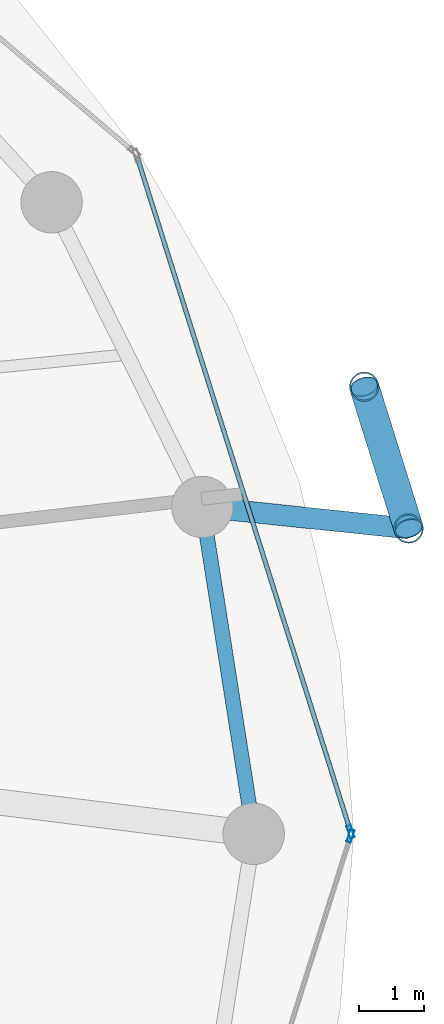
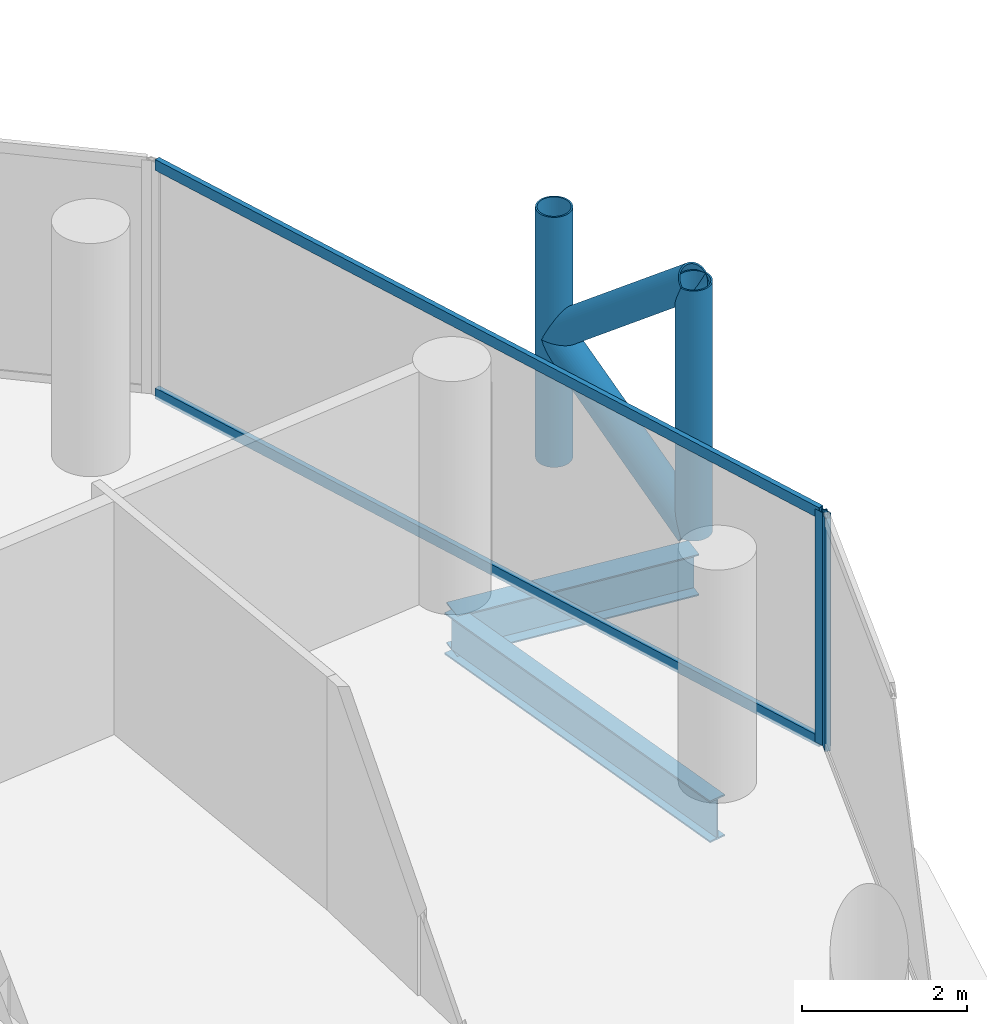
# One storey, part 12 of 26: 8 members, 2 beams, 2 elements without a shape of their own.
"""IFC4 building model written with IfcOpenShell, lengths in metres."""

from ifc_helpers import new_model, si_unit, direction, frame, origin, origin_2d, place, context, subcontext, project, spatial, hollow_rectangle, hollow_circle, i_section, extrude, material, layer, layer_set, material_profile, profile_set, type_object, element, aggregate, save


model = new_model("IFC4")

# Units and contexts
model_context = context("Model", 3, precision=1e-05, world=origin(), true_north=direction((0.0, 1.0)))
body_context = subcontext(model_context, "Body", "Model", "MODEL_VIEW")
ifc_project = project(units=[si_unit("LENGTHUNIT", "METRE"), si_unit("AREAUNIT", "SQUARE_METRE"), si_unit("VOLUMEUNIT", "CUBIC_METRE"), si_unit("PLANEANGLEUNIT", "RADIAN"), si_unit("MASSUNIT", "GRAM", prefix="KILO")], contexts=[model_context])

# Site, building, storey
site_placement = place(None, origin())
site = spatial("IfcSite", under=ifc_project, at=site_placement, CompositionType="ELEMENT")
building_placement = place(site_placement, origin())
building = spatial("IfcBuilding", under=site, at=building_placement, Name="Nuhasar Tower", CompositionType="ELEMENT")
storey_placement = place(building_placement, frame((0.0, 0.0, 129.35009765625)))
storey = spatial("IfcBuildingStorey", under=building, at=storey_placement, Name="L30", CompositionType="ELEMENT", Elevation=129.35009765625)

# Beams
ifc_material_1 = material(Name="Steel S355", Category="steel")
ifc_material_profile_1 = material_profile(ifc_material_1, i_section(OverallWidth=0.22998046875, OverallDepth=0.616943359375, WebThickness=0.01318359375, FlangeThickness=0.022216796875, at=origin_2d()), Name="W24X94")
ifc_profile_set_1 = profile_set([ifc_material_profile_1], Name="Steel S355")
beam_type_1 = type_object("IfcBeamType", Name="BM-RING-W24X94", PredefinedType="SPANDREL", material=ifc_profile_set_1)
beam_1_placement = place(storey_placement, frame((62.35009765625, 26.800048828125, -0.55908203125), z_axis=(-0.155426543608, 0.987847452566, 0.0), x_axis=(-0.987847452566, -0.155426543608, 0.0)))
element("IfcBeam", 1, at=beam_1_placement, inside=storey, type_object=beam_type_1, Name="L30 Perimeter Ring Spandrel 01", PredefinedType="SPANDREL", context=body_context, shape_type="SweptSolid", body=[
    extrude(i_section(OverallWidth=0.22998046875, OverallDepth=0.616943359375, WebThickness=0.01318359375, FlangeThickness=0.022216796875, at=origin_2d()), origin(), (0.0, 0.0, 1.0), 5.122314453125),
])
ifc_material_profile_2 = material_profile(ifc_material_1, i_section(OverallWidth=0.323974609375, OverallDepth=0.611083984375, WebThickness=0.0126953125, FlangeThickness=0.01904296875, at=origin_2d()), Name="W24X104")
ifc_profile_set_2 = profile_set([ifc_material_profile_2], Name="Steel S355")
beam_type_2 = type_object("IfcBeamType", Name="BM-TIE-W24X104", PredefinedType="BEAM", material=ifc_profile_set_2)
beam_2_placement = place(storey_placement, frame((61.553955078125, 31.860107421875, -0.55615234375), z_axis=(0.994569828715, -0.104071397654, 0.0), x_axis=(0.104071397654, 0.994569828715, 0.0)))
element("IfcBeam", 2, at=beam_2_placement, inside=storey, type_object=beam_type_2, Name="L30 Exoskeleton Node Tie Beam 01", PredefinedType="BEAM", context=body_context, shape_type="SweptSolid", body=[
    extrude(i_section(OverallWidth=0.323974609375, OverallDepth=0.611083984375, WebThickness=0.0126953125, FlangeThickness=0.01904296875, at=origin_2d()), origin(), (0.0, 0.0, 1.0), 3.21142578125),
])

# Curtain wall, member
ifc_material_2 = material(Name="Aluminium 6063-T6", Category="aluminium")
ifc_layer = layer(ifc_material_2, 0.199951171875)
ifc_layer_set = layer_set([ifc_layer], Name="Aluminium 6063-T6")
curtain_wall_type = type_object("IfcCurtainWallType", Name="CW-Z2-HTL", PredefinedType="NOTDEFINED", material=ifc_layer_set)
curtain_wall_1_placement = place(storey_placement, origin())
curtain_wall_1 = element("IfcCurtainWall", 3, at=curtain_wall_1_placement, inside=storey, type_object=curtain_wall_type, Name="L30 Unitised Curtain Wall 01", PredefinedType="NOTDEFINED")
ifc_material_profile_3 = material_profile(ifc_material_2, hollow_rectangle(XDim=0.070068359375, YDim=0.199951171875, WallThickness=0.0048828125, at=origin_2d()), Name="CWM-3")
ifc_profile_set_3 = profile_set([ifc_material_profile_3], Name="Aluminium 6063-T6")
member_type_1 = type_object("IfcMemberType", Name="CW-MUL-S3", PredefinedType="MULLION", material=ifc_profile_set_3)
member_1_placement = place(storey_placement, frame((63.849365234375, 26.833251953125, 0.0), z_axis=(0.0, 0.0, 1.0), x_axis=(-0.953433389233, -0.301603667577, 0.0)))
member_1 = element("IfcMember", 4, at=member_1_placement, type_object=member_type_1, Name="CW-Z2 mullion 1", PredefinedType="MULLION", context=body_context, shape_type="SweptSolid", body=[
    extrude(hollow_rectangle(XDim=0.070068359375, YDim=0.199951171875, WallThickness=0.0048828125, at=origin_2d()), origin(), (0.0, 0.0, 1.0), 3.449951171875),
])

curtain_wall_2_placement = place(storey_placement, origin())
curtain_wall_2 = element("IfcCurtainWall", 5, at=curtain_wall_2_placement, inside=storey, type_object=curtain_wall_type, Name="L30 Unitised Curtain Wall 12", PredefinedType="NOTDEFINED")
member_2_placement = place(storey_placement, frame((63.849365234375, 26.7666015625, 0.0), z_axis=(0.0, 0.0, 1.0), x_axis=(-0.953433389233, 0.301603667577, 0.0)))
member_2 = element("IfcMember", 6, at=member_2_placement, type_object=member_type_1, Name="CW-Z2 mullion 2", PredefinedType="MULLION", context=body_context, shape_type="SweptSolid", body=[
    extrude(hollow_rectangle(XDim=0.070068359375, YDim=0.199951171875, WallThickness=0.0048828125, at=origin_2d()), origin(), (0.0, 0.0, 1.0), 3.449951171875),
])
aggregate(curtain_wall_2, [member_2])

# Member
ifc_material_profile_4 = material_profile(ifc_material_2, hollow_rectangle(XDim=0.070068359375, YDim=0.159912109375, WallThickness=0.00439453125, at=origin_2d()), Name="CWT-3")
ifc_profile_set_4 = profile_set([ifc_material_profile_4], Name="Aluminium 6063-T6")
member_type_2 = type_object("IfcMemberType", Name="CW-TRN-S3", PredefinedType="USERDEFINED", material=ifc_profile_set_4)
member_3_placement = place(storey_placement, frame((63.8388671875, 26.86669921875, 0.034912109375), z_axis=(-0.301608163352, 0.953431967053, 0.0), x_axis=(-0.953431967053, -0.301608163352, 0.0)))
member_3 = element("IfcMember", 7, at=member_3_placement, type_object=member_type_2, Name="CW-Z2 transom 1.1", ObjectType="TRANSOM", PredefinedType="USERDEFINED", context=body_context, shape_type="SweptSolid", body=[
    extrude(hollow_rectangle(XDim=0.070068359375, YDim=0.159912109375, WallThickness=0.00439453125, at=origin_2d()), origin(), (0.0, 0.0, 1.0), 10.904296875),
])

member_4_placement = place(storey_placement, frame((63.8388671875, 26.86669921875, 3.414794921875), z_axis=(-0.301608163352, 0.953431967053, 0.0), x_axis=(-0.953431967053, -0.301608163352, 0.0)))
member_4 = element("IfcMember", 8, at=member_4_placement, type_object=member_type_2, Name="CW-Z2 transom 1.2", ObjectType="TRANSOM", PredefinedType="USERDEFINED", context=body_context, shape_type="SweptSolid", body=[
    extrude(hollow_rectangle(XDim=0.070068359375, YDim=0.159912109375, WallThickness=0.00439453125, at=origin_2d()), origin(), (0.0, 0.0, 1.0), 10.904296875),
])

aggregate(curtain_wall_1, [member_1, member_3, member_4])

# Members
ifc_material_3 = material(Name="Steel S460", Category="steel")
ifc_material_profile_5 = material_profile(ifc_material_3, hollow_circle(Radius=0.228515625, WallThickness=0.022216796875, at=origin_2d()), Name="HSS457X22.2")
ifc_profile_set_5 = profile_set([ifc_material_profile_5], Name="Steel S460")
member_type_3 = type_object("IfcMemberType", Name="EXO-BRONZE-457", PredefinedType="BRACE", material=ifc_profile_set_5)
for number, where, z_axis, x_axis, name in (
    (9, (64.748046875, 31.52587890625, 0.0), (0.0, 0.0, 1.0), (1.0, 0.0, 0.0), "L30 Exoskeleton Chord Column EC-01A"),
    (10, (64.06005859375, 33.720947265625, 0.0), (0.0, 0.0, 1.0), (1.0, 0.0, 0.0), "L30 Exoskeleton Chord Column EC-01B"),
):
    element("IfcMember", number, at=place(storey_placement, frame(where, z_axis=z_axis, x_axis=x_axis)), inside=storey, type_object=member_type_3, Name=name, PredefinedType="BRACE", context=body_context, shape_type="SweptSolid", body=[
        extrude(hollow_circle(Radius=0.228515625, WallThickness=0.022216796875, at=origin_2d()), origin(), (0.0, 0.0, 1.0), 3.699951171875),
    ])
member_5_placement = place(storey_placement, frame((64.748046875, 31.52587890625, 0.0), z_axis=(-0.233067628236, 0.74361641074, 0.626669062861), x_axis=(-0.954228474306, -0.29907861646, 0.0)))
element("IfcMember", 11, at=member_5_placement, inside=storey, type_object=member_type_3, Name="L30 Bronze Diagrid Brace W1-01", PredefinedType="BRACE", context=body_context, shape_type="SweptSolid", body=[
    extrude(hollow_circle(Radius=0.228515625, WallThickness=0.022216796875, at=origin_2d()), origin(), (0.0, 0.0, 1.0), 2.951904296875),
])
member_6_placement = place(storey_placement, frame((64.06005859375, 33.720947265625, 1.849853515625), z_axis=(0.233055548538, -0.743577869731, 0.626719285599), x_axis=(0.954228474306, 0.29907861646, 0.0)))
element("IfcMember", 12, at=member_6_placement, inside=storey, type_object=member_type_3, Name="L30 Bronze Diagrid Brace W2-01", PredefinedType="BRACE", context=body_context, shape_type="SweptSolid", body=[
    extrude(hollow_circle(Radius=0.228515625, WallThickness=0.022216796875, at=origin_2d()), origin(), (0.0, 0.0, 1.0), 2.9521484375),
])

save(model, "model.ifc")
